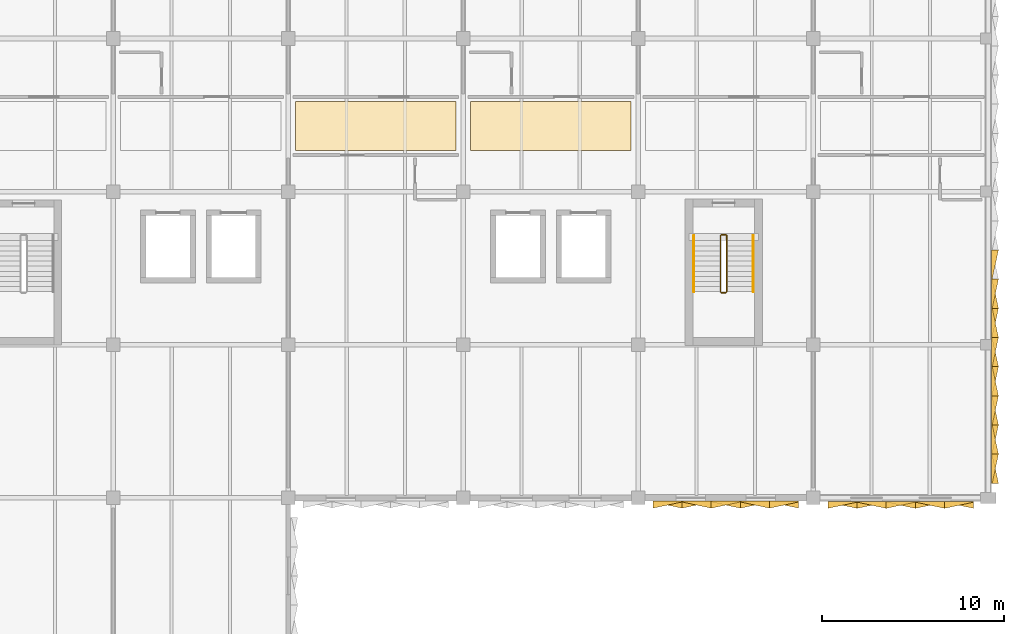
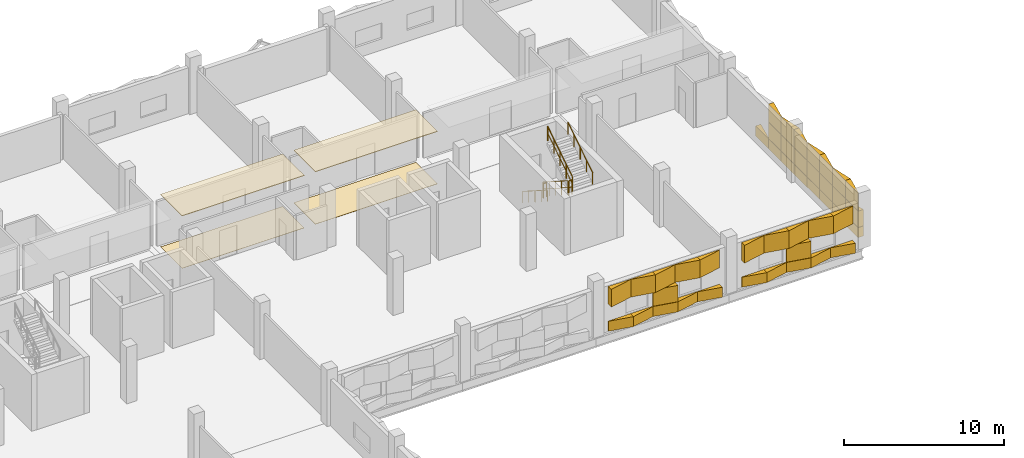
# One storey, part 84 of 86: 48 coverings, 6 railings.
"""IFC4 building model written with IfcOpenShell, lengths in metres."""

from ifc_helpers import new_model, si_unit, direction, frame, origin, origin_2d, place, context, subcontext, project, spatial, polyline, circle, outline, extrude, material, layer, layer_set, type_object, element, save


model = new_model("IFC4")

# Units and contexts
model_context = context("Model", 3, precision=1e-05, world=origin(), true_north=direction((0.0, 1.0)))
body_context = subcontext(model_context, "Body", "Model", "MODEL_VIEW")
ifc_project = project(units=[si_unit("LENGTHUNIT", "METRE"), si_unit("AREAUNIT", "SQUARE_METRE"), si_unit("VOLUMEUNIT", "CUBIC_METRE"), si_unit("PLANEANGLEUNIT", "RADIAN"), si_unit("MASSUNIT", "GRAM", prefix="KILO")], contexts=[model_context])

# Site, building, storey
site_placement = place(None, origin())
site = spatial("IfcSite", under=ifc_project, at=site_placement, CompositionType="ELEMENT")
building_placement = place(site_placement, origin())
building = spatial("IfcBuilding", under=site, at=building_placement, Name="Oolite Switchyard Hospital", CompositionType="ELEMENT")
storey_placement = place(building_placement, frame((0.0, 0.0, 13.5)))
storey = spatial("IfcBuildingStorey", under=building, at=storey_placement, Name="L03", CompositionType="ELEMENT", Elevation=13.5)

# Coverings
ifc_material_1 = material(Name="Hygienic washable mineral-fibre acoustic ceiling")
ifc_layer_1 = layer(ifc_material_1, 0.0400390625)
ifc_layer_set_1 = layer_set([ifc_layer_1], Name="COV-CEIL-AC60")
covering_type_1 = type_object("IfcCoveringType", Name="COV-CEIL-AC60", PredefinedType="CEILING", material=ifc_layer_set_1)
covering_1_placement = place(storey_placement, frame((0.0, 0.0, 3.985107421875)))
element("IfcCovering", 1, at=covering_1_placement, inside=storey, type_object=covering_type_1, Name="L03 East General Surgical Ward Corridor Ceiling 5", PredefinedType="CEILING", context=body_context, shape_type="SweptSolid", body=[
    extrude(outline(polyline([(173.199951171875, 119.85009765625), (182.0, 119.85009765625), (182.0, 122.550048828125), (173.199951171875, 122.550048828125), (173.199951171875, 119.85009765625)])), origin(), (0.0, 0.0, 1.0), 0.039794921875),
])
covering_2_placement = place(storey_placement, frame((0.0, 0.0, 3.985107421875)))
element("IfcCovering", 2, at=covering_2_placement, inside=storey, type_object=covering_type_1, Name="L03 East General Surgical Ward Corridor Ceiling 6", PredefinedType="CEILING", context=body_context, shape_type="SweptSolid", body=[
    extrude(outline(polyline([(182.800048828125, 119.85009765625), (191.60009765625, 119.85009765625), (191.60009765625, 122.550048828125), (182.800048828125, 122.550048828125), (182.800048828125, 119.85009765625)])), origin(), (0.0, 0.0, 1.0), 0.039794921875),
])
ifc_material_2 = material(Name="Precast oolitic limestone architectural concrete C40/50", Category="masonry")
covering_type_2 = type_object("IfcCoveringType", Name="COV-CHEV-COOL", PredefinedType="CLADDING", material=ifc_material_2)
covering_3_placement = place(storey_placement, frame((200.800048828125, 100.6201171875, 0.050048828125), z_axis=(0.0, 0.0, 1.0), x_axis=(-1.0, 0.0, 0.0)))
element("IfcCovering", 3, at=covering_3_placement, inside=storey, type_object=covering_type_2, Name="L03 Chevron Precast Oolite Panel 155", PredefinedType="CLADDING", context=body_context, shape_type="SweptSolid", body=[
    extrude(outline(polyline([(0.0, 0.0), (1.60009765625, 0.0), (1.60009765625, 0.044921875), (0.0, 0.385009765625), (0.0, 0.0)])), origin(), (0.0, 0.0, 1.0), 0.760009765625),
])
covering_4_placement = place(storey_placement, frame((200.800048828125, 100.6201171875, 2.090087890625), z_axis=(0.0, 0.0, 1.0), x_axis=(-1.0, 0.0, 0.0)))
element("IfcCovering", 4, at=covering_4_placement, inside=storey, type_object=covering_type_2, Name="L03 Chevron Precast Oolite Panel 156", PredefinedType="CLADDING", context=body_context, shape_type="SweptSolid", body=[
    extrude(outline(polyline([(0.0, 0.0), (1.60009765625, 0.0), (1.60009765625, 0.385009765625), (0.0, 0.044921875), (0.0, 0.0)])), origin(), (0.0, 0.0, 1.0), 1.349853515625),
])
covering_5_placement = place(storey_placement, frame((199.199951171875, 100.6201171875, 0.050048828125), z_axis=(0.0, 0.0, 1.0), x_axis=(-1.0, 0.0, 0.0)))
element("IfcCovering", 5, at=covering_5_placement, inside=storey, type_object=covering_type_2, Name="L03 Chevron Precast Oolite Panel 157", PredefinedType="CLADDING", context=body_context, shape_type="SweptSolid", body=[
    extrude(outline(polyline([(0.0, 0.0), (1.599853515625, 0.0), (1.599853515625, 0.385009765625), (0.0, 0.044921875), (0.0, 0.0)])), origin(), (0.0, 0.0, 1.0), 0.760009765625),
])
covering_6_placement = place(storey_placement, frame((199.199951171875, 100.6201171875, 2.090087890625), z_axis=(0.0, 0.0, 1.0), x_axis=(-1.0, 0.0, 0.0)))
element("IfcCovering", 6, at=covering_6_placement, inside=storey, type_object=covering_type_2, Name="L03 Chevron Precast Oolite Panel 158", PredefinedType="CLADDING", context=body_context, shape_type="SweptSolid", body=[
    extrude(outline(polyline([(0.0, 0.0), (1.599853515625, 0.0), (1.599853515625, 0.044921875), (0.0, 0.385009765625), (0.0, 0.0)])), origin(), (0.0, 0.0, 1.0), 1.349853515625),
])
covering_7_placement = place(storey_placement, frame((197.60009765625, 100.6201171875, 0.050048828125), z_axis=(0.0, 0.0, 1.0), x_axis=(-1.0, 0.0, 0.0)))
element("IfcCovering", 7, at=covering_7_placement, inside=storey, type_object=covering_type_2, Name="L03 Chevron Precast Oolite Panel 159", PredefinedType="CLADDING", context=body_context, shape_type="SweptSolid", body=[
    extrude(outline(polyline([(0.0, 0.0), (1.60009765625, 0.0), (1.60009765625, 0.044921875), (0.0, 0.385009765625), (0.0, 0.0)])), origin(), (0.0, 0.0, 1.0), 0.760009765625),
])
covering_8_placement = place(storey_placement, frame((197.60009765625, 100.6201171875, 2.090087890625), z_axis=(0.0, 0.0, 1.0), x_axis=(-1.0, 0.0, 0.0)))
element("IfcCovering", 8, at=covering_8_placement, inside=storey, type_object=covering_type_2, Name="L03 Chevron Precast Oolite Panel 160", PredefinedType="CLADDING", context=body_context, shape_type="SweptSolid", body=[
    extrude(outline(polyline([(0.0, 0.0), (1.60009765625, 0.0), (1.60009765625, 0.385009765625), (0.0, 0.044921875), (0.0, 0.0)])), origin(), (0.0, 0.0, 1.0), 1.349853515625),
])
covering_9_placement = place(storey_placement, frame((197.60009765625, 100.6201171875, 0.830078125), z_axis=(0.0, 0.0, 1.0), x_axis=(-1.0, 0.0, 0.0)))
element("IfcCovering", 9, at=covering_9_placement, inside=storey, type_object=covering_type_2, Name="L03 Chevron Precast Oolite Panel 161", PredefinedType="CLADDING", context=body_context, shape_type="SweptSolid", body=[
    extrude(outline(polyline([(0.0, 0.0), (1.60009765625, 0.0), (1.60009765625, 0.044921875), (0.0, 0.385009765625), (0.0, 0.0)])), origin(), (0.0, 0.0, 1.0), 1.239990234375),
])
covering_10_placement = place(storey_placement, frame((196.0, 100.6201171875, 0.050048828125), z_axis=(0.0, 0.0, 1.0), x_axis=(-1.0, 0.0, 0.0)))
element("IfcCovering", 10, at=covering_10_placement, inside=storey, type_object=covering_type_2, Name="L03 Chevron Precast Oolite Panel 162", PredefinedType="CLADDING", context=body_context, shape_type="SweptSolid", body=[
    extrude(outline(polyline([(0.0, 0.0), (1.60009765625, 0.0), (1.60009765625, 0.385009765625), (0.0, 0.044921875), (0.0, 0.0)])), origin(), (0.0, 0.0, 1.0), 0.760009765625),
])
covering_11_placement = place(storey_placement, frame((196.0, 100.6201171875, 2.090087890625), z_axis=(0.0, 0.0, 1.0), x_axis=(-1.0, 0.0, 0.0)))
element("IfcCovering", 11, at=covering_11_placement, inside=storey, type_object=covering_type_2, Name="L03 Chevron Precast Oolite Panel 163", PredefinedType="CLADDING", context=body_context, shape_type="SweptSolid", body=[
    extrude(outline(polyline([(0.0, 0.0), (1.60009765625, 0.0), (1.60009765625, 0.044921875), (0.0, 0.385009765625), (0.0, 0.0)])), origin(), (0.0, 0.0, 1.0), 1.349853515625),
])
covering_12_placement = place(storey_placement, frame((194.39990234375, 100.6201171875, 0.050048828125), z_axis=(0.0, 0.0, 1.0), x_axis=(-1.0, 0.0, 0.0)))
element("IfcCovering", 12, at=covering_12_placement, inside=storey, type_object=covering_type_2, Name="L03 Chevron Precast Oolite Panel 164", PredefinedType="CLADDING", context=body_context, shape_type="SweptSolid", body=[
    extrude(outline(polyline([(0.0, 0.0), (1.599853515625, 0.0), (1.599853515625, 0.044921875), (0.0, 0.385009765625), (0.0, 0.0)])), origin(), (0.0, 0.0, 1.0), 0.760009765625),
])
covering_13_placement = place(storey_placement, frame((194.39990234375, 100.6201171875, 2.090087890625), z_axis=(0.0, 0.0, 1.0), x_axis=(-1.0, 0.0, 0.0)))
element("IfcCovering", 13, at=covering_13_placement, inside=storey, type_object=covering_type_2, Name="L03 Chevron Precast Oolite Panel 165", PredefinedType="CLADDING", context=body_context, shape_type="SweptSolid", body=[
    extrude(outline(polyline([(0.0, 0.0), (1.599853515625, 0.0), (1.599853515625, 0.385009765625), (0.0, 0.044921875), (0.0, 0.0)])), origin(), (0.0, 0.0, 1.0), 1.349853515625),
])
covering_14_placement = place(storey_placement, frame((210.39990234375, 100.610107421875, 0.050048828125), z_axis=(0.0, 0.0, 1.0), x_axis=(-1.0, 0.0, 0.0)))
element("IfcCovering", 14, at=covering_14_placement, inside=storey, type_object=covering_type_2, Name="L03 Chevron Precast Oolite Panel 166", PredefinedType="CLADDING", context=body_context, shape_type="SweptSolid", body=[
    extrude(outline(polyline([(0.0, 0.0), (1.599853515625, 0.0), (1.599853515625, 0.044921875), (0.0, 0.385009765625), (0.0, 0.0)])), origin(), (0.0, 0.0, 1.0), 0.760009765625),
])
covering_15_placement = place(storey_placement, frame((210.39990234375, 100.610107421875, 2.090087890625), z_axis=(0.0, 0.0, 1.0), x_axis=(-1.0, 0.0, 0.0)))
element("IfcCovering", 15, at=covering_15_placement, inside=storey, type_object=covering_type_2, Name="L03 Chevron Precast Oolite Panel 167", PredefinedType="CLADDING", context=body_context, shape_type="SweptSolid", body=[
    extrude(outline(polyline([(0.0, 0.0), (1.599853515625, 0.0), (1.599853515625, 0.385009765625), (0.0, 0.044921875), (0.0, 0.0)])), origin(), (0.0, 0.0, 1.0), 1.349853515625),
])
covering_16_placement = place(storey_placement, frame((208.800048828125, 100.610107421875, 0.050048828125), z_axis=(0.0, 0.0, 1.0), x_axis=(-1.0, 0.0, 0.0)))
element("IfcCovering", 16, at=covering_16_placement, inside=storey, type_object=covering_type_2, Name="L03 Chevron Precast Oolite Panel 168", PredefinedType="CLADDING", context=body_context, shape_type="SweptSolid", body=[
    extrude(outline(polyline([(0.0, 0.0), (1.60009765625, 0.0), (1.60009765625, 0.385009765625), (0.0, 0.044921875), (0.0, 0.0)])), origin(), (0.0, 0.0, 1.0), 0.760009765625),
])
covering_17_placement = place(storey_placement, frame((208.800048828125, 100.610107421875, 2.090087890625), z_axis=(0.0, 0.0, 1.0), x_axis=(-1.0, 0.0, 0.0)))
element("IfcCovering", 17, at=covering_17_placement, inside=storey, type_object=covering_type_2, Name="L03 Chevron Precast Oolite Panel 169", PredefinedType="CLADDING", context=body_context, shape_type="SweptSolid", body=[
    extrude(outline(polyline([(0.0, 0.0), (1.60009765625, 0.0), (1.60009765625, 0.044921875), (0.0, 0.385009765625), (0.0, 0.0)])), origin(), (0.0, 0.0, 1.0), 1.349853515625),
])
covering_18_placement = place(storey_placement, frame((207.199951171875, 100.610107421875, 0.050048828125), z_axis=(0.0, 0.0, 1.0), x_axis=(-1.0, 0.0, 0.0)))
element("IfcCovering", 18, at=covering_18_placement, inside=storey, type_object=covering_type_2, Name="L03 Chevron Precast Oolite Panel 170", PredefinedType="CLADDING", context=body_context, shape_type="SweptSolid", body=[
    extrude(outline(polyline([(0.0, 0.0), (1.599853515625, 0.0), (1.599853515625, 0.044921875), (0.0, 0.385009765625), (0.0, 0.0)])), origin(), (0.0, 0.0, 1.0), 0.760009765625),
])
covering_19_placement = place(storey_placement, frame((207.199951171875, 100.610107421875, 2.090087890625), z_axis=(0.0, 0.0, 1.0), x_axis=(-1.0, 0.0, 0.0)))
element("IfcCovering", 19, at=covering_19_placement, inside=storey, type_object=covering_type_2, Name="L03 Chevron Precast Oolite Panel 171", PredefinedType="CLADDING", context=body_context, shape_type="SweptSolid", body=[
    extrude(outline(polyline([(0.0, 0.0), (1.599853515625, 0.0), (1.599853515625, 0.385009765625), (0.0, 0.044921875), (0.0, 0.0)])), origin(), (0.0, 0.0, 1.0), 1.349853515625),
])
covering_20_placement = place(storey_placement, frame((207.199951171875, 100.610107421875, 0.830078125), z_axis=(0.0, 0.0, 1.0), x_axis=(-1.0, 0.0, 0.0)))
element("IfcCovering", 20, at=covering_20_placement, inside=storey, type_object=covering_type_2, Name="L03 Chevron Precast Oolite Panel 172", PredefinedType="CLADDING", context=body_context, shape_type="SweptSolid", body=[
    extrude(outline(polyline([(0.0, 0.0), (1.599853515625, 0.0), (1.599853515625, 0.044921875), (0.0, 0.385009765625), (0.0, 0.0)])), origin(), (0.0, 0.0, 1.0), 1.239990234375),
])
covering_21_placement = place(storey_placement, frame((205.60009765625, 100.610107421875, 0.050048828125), z_axis=(0.0, 0.0, 1.0), x_axis=(-1.0, 0.0, 0.0)))
element("IfcCovering", 21, at=covering_21_placement, inside=storey, type_object=covering_type_2, Name="L03 Chevron Precast Oolite Panel 173", PredefinedType="CLADDING", context=body_context, shape_type="SweptSolid", body=[
    extrude(outline(polyline([(0.0, 0.0), (1.60009765625, 0.0), (1.60009765625, 0.385009765625), (0.0, 0.044921875), (0.0, 0.0)])), origin(), (0.0, 0.0, 1.0), 0.760009765625),
])
covering_22_placement = place(storey_placement, frame((205.60009765625, 100.610107421875, 2.090087890625), z_axis=(0.0, 0.0, 1.0), x_axis=(-1.0, 0.0, 0.0)))
element("IfcCovering", 22, at=covering_22_placement, inside=storey, type_object=covering_type_2, Name="L03 Chevron Precast Oolite Panel 174", PredefinedType="CLADDING", context=body_context, shape_type="SweptSolid", body=[
    extrude(outline(polyline([(0.0, 0.0), (1.60009765625, 0.0), (1.60009765625, 0.044921875), (0.0, 0.385009765625), (0.0, 0.0)])), origin(), (0.0, 0.0, 1.0), 1.349853515625),
])
covering_23_placement = place(storey_placement, frame((204.0, 100.610107421875, 0.050048828125), z_axis=(0.0, 0.0, 1.0), x_axis=(-1.0, 0.0, 0.0)))
element("IfcCovering", 23, at=covering_23_placement, inside=storey, type_object=covering_type_2, Name="L03 Chevron Precast Oolite Panel 175", PredefinedType="CLADDING", context=body_context, shape_type="SweptSolid", body=[
    extrude(outline(polyline([(0.0, 0.0), (1.60009765625, 0.0), (1.60009765625, 0.044921875), (0.0, 0.385009765625), (0.0, 0.0)])), origin(), (0.0, 0.0, 1.0), 0.760009765625),
])
covering_24_placement = place(storey_placement, frame((204.0, 100.610107421875, 2.090087890625), z_axis=(0.0, 0.0, 1.0), x_axis=(-1.0, 0.0, 0.0)))
element("IfcCovering", 24, at=covering_24_placement, inside=storey, type_object=covering_type_2, Name="L03 Chevron Precast Oolite Panel 176", PredefinedType="CLADDING", context=body_context, shape_type="SweptSolid", body=[
    extrude(outline(polyline([(0.0, 0.0), (1.60009765625, 0.0), (1.60009765625, 0.385009765625), (0.0, 0.044921875), (0.0, 0.0)])), origin(), (0.0, 0.0, 1.0), 1.349853515625),
])
covering_25_placement = place(storey_placement, frame((211.3701171875, 114.39990234375, 0.050048828125), z_axis=(0.0, 0.0, 1.0), x_axis=(0.0, -1.0, 0.0)))
element("IfcCovering", 25, at=covering_25_placement, inside=storey, type_object=covering_type_2, Name="L03 Chevron Precast Oolite Panel 608", PredefinedType="CLADDING", context=body_context, shape_type="SweptSolid", body=[
    extrude(outline(polyline([(0.0, 0.0), (1.599853515625, 0.0), (1.599853515625, 0.044921875), (0.0, 0.385009765625), (0.0, 0.0)])), origin(), (0.0, 0.0, 1.0), 0.760009765625),
])
covering_26_placement = place(storey_placement, frame((211.3701171875, 112.800048828125, 0.050048828125), z_axis=(0.0, 0.0, 1.0), x_axis=(0.0, -1.0, 0.0)))
element("IfcCovering", 26, at=covering_26_placement, inside=storey, type_object=covering_type_2, Name="L03 Chevron Precast Oolite Panel 611", PredefinedType="CLADDING", context=body_context, shape_type="SweptSolid", body=[
    extrude(outline(polyline([(0.0, 0.0), (1.60009765625, 0.0), (1.60009765625, 0.385009765625), (0.0, 0.044921875), (0.0, 0.0)])), origin(), (0.0, 0.0, 1.0), 0.760009765625),
])
covering_27_placement = place(storey_placement, frame((211.3701171875, 112.800048828125, 2.090087890625), z_axis=(0.0, 0.0, 1.0), x_axis=(0.0, -1.0, 0.0)))
element("IfcCovering", 27, at=covering_27_placement, inside=storey, type_object=covering_type_2, Name="L03 Chevron Precast Oolite Panel 612", PredefinedType="CLADDING", context=body_context, shape_type="SweptSolid", body=[
    extrude(outline(polyline([(0.0, 0.0), (1.60009765625, 0.0), (1.60009765625, 0.044921875), (0.0, 0.385009765625), (0.0, 0.0)])), origin(), (0.0, 0.0, 1.0), 1.349853515625),
])
covering_28_placement = place(storey_placement, frame((211.3701171875, 112.800048828125, 0.830078125), z_axis=(0.0, 0.0, 1.0), x_axis=(0.0, -1.0, 0.0)))
element("IfcCovering", 28, at=covering_28_placement, inside=storey, type_object=covering_type_2, Name="L03 Chevron Precast Oolite Panel 613", PredefinedType="CLADDING", context=body_context, shape_type="SweptSolid", body=[
    extrude(outline(polyline([(0.0, 0.0), (1.60009765625, 0.0), (1.60009765625, 0.385009765625), (0.0, 0.044921875), (0.0, 0.0)])), origin(), (0.0, 0.0, 1.0), 1.239990234375),
])
covering_29_placement = place(storey_placement, frame((211.3701171875, 111.199951171875, 0.050048828125), z_axis=(0.0, 0.0, 1.0), x_axis=(0.0, -1.0, 0.0)))
element("IfcCovering", 29, at=covering_29_placement, inside=storey, type_object=covering_type_2, Name="L03 Chevron Precast Oolite Panel 614", PredefinedType="CLADDING", context=body_context, shape_type="SweptSolid", body=[
    extrude(outline(polyline([(0.0, 0.0), (1.599853515625, 0.0), (1.599853515625, 0.044921875), (0.0, 0.385009765625), (0.0, 0.0)])), origin(), (0.0, 0.0, 1.0), 0.760009765625),
])
covering_30_placement = place(storey_placement, frame((211.3701171875, 111.199951171875, 2.090087890625), z_axis=(0.0, 0.0, 1.0), x_axis=(0.0, -1.0, 0.0)))
element("IfcCovering", 30, at=covering_30_placement, inside=storey, type_object=covering_type_2, Name="L03 Chevron Precast Oolite Panel 615", PredefinedType="CLADDING", context=body_context, shape_type="SweptSolid", body=[
    extrude(outline(polyline([(0.0, 0.0), (1.599853515625, 0.0), (1.599853515625, 0.385009765625), (0.0, 0.044921875), (0.0, 0.0)])), origin(), (0.0, 0.0, 1.0), 1.349853515625),
])
covering_31_placement = place(storey_placement, frame((211.3701171875, 111.199951171875, 0.830078125), z_axis=(0.0, 0.0, 1.0), x_axis=(0.0, -1.0, 0.0)))
element("IfcCovering", 31, at=covering_31_placement, inside=storey, type_object=covering_type_2, Name="L03 Chevron Precast Oolite Panel 616", PredefinedType="CLADDING", context=body_context, shape_type="SweptSolid", body=[
    extrude(outline(polyline([(0.0, 0.0), (1.599853515625, 0.0), (1.599853515625, 0.044921875), (0.0, 0.385009765625), (0.0, 0.0)])), origin(), (0.0, 0.0, 1.0), 1.239990234375),
])
covering_32_placement = place(storey_placement, frame((211.3701171875, 109.60009765625, 0.050048828125), z_axis=(0.0, 0.0, 1.0), x_axis=(0.0, -1.0, 0.0)))
element("IfcCovering", 32, at=covering_32_placement, inside=storey, type_object=covering_type_2, Name="L03 Chevron Precast Oolite Panel 617", PredefinedType="CLADDING", context=body_context, shape_type="SweptSolid", body=[
    extrude(outline(polyline([(0.0, 0.0), (1.60009765625, 0.0), (1.60009765625, 0.385009765625), (0.0, 0.044921875), (0.0, 0.0)])), origin(), (0.0, 0.0, 1.0), 0.760009765625),
])
covering_33_placement = place(storey_placement, frame((211.3701171875, 109.60009765625, 2.090087890625), z_axis=(0.0, 0.0, 1.0), x_axis=(0.0, -1.0, 0.0)))
element("IfcCovering", 33, at=covering_33_placement, inside=storey, type_object=covering_type_2, Name="L03 Chevron Precast Oolite Panel 618", PredefinedType="CLADDING", context=body_context, shape_type="SweptSolid", body=[
    extrude(outline(polyline([(0.0, 0.0), (1.60009765625, 0.0), (1.60009765625, 0.044921875), (0.0, 0.385009765625), (0.0, 0.0)])), origin(), (0.0, 0.0, 1.0), 1.349853515625),
])
covering_34_placement = place(storey_placement, frame((211.3701171875, 109.60009765625, 0.830078125), z_axis=(0.0, 0.0, 1.0), x_axis=(0.0, -1.0, 0.0)))
element("IfcCovering", 34, at=covering_34_placement, inside=storey, type_object=covering_type_2, Name="L03 Chevron Precast Oolite Panel 619", PredefinedType="CLADDING", context=body_context, shape_type="SweptSolid", body=[
    extrude(outline(polyline([(0.0, 0.0), (1.60009765625, 0.0), (1.60009765625, 0.385009765625), (0.0, 0.044921875), (0.0, 0.0)])), origin(), (0.0, 0.0, 1.0), 1.239990234375),
])
covering_35_placement = place(storey_placement, frame((211.3701171875, 108.0, 0.050048828125), z_axis=(0.0, 0.0, 1.0), x_axis=(0.0, -1.0, 0.0)))
element("IfcCovering", 35, at=covering_35_placement, inside=storey, type_object=covering_type_2, Name="L03 Chevron Precast Oolite Panel 620", PredefinedType="CLADDING", context=body_context, shape_type="SweptSolid", body=[
    extrude(outline(polyline([(0.0, 0.0), (1.60009765625, 0.0), (1.60009765625, 0.044921875), (0.0, 0.385009765625), (0.0, 0.0)])), origin(), (0.0, 0.0, 1.0), 0.760009765625),
])
covering_36_placement = place(storey_placement, frame((211.3701171875, 108.0, 2.090087890625), z_axis=(0.0, 0.0, 1.0), x_axis=(0.0, -1.0, 0.0)))
element("IfcCovering", 36, at=covering_36_placement, inside=storey, type_object=covering_type_2, Name="L03 Chevron Precast Oolite Panel 621", PredefinedType="CLADDING", context=body_context, shape_type="SweptSolid", body=[
    extrude(outline(polyline([(0.0, 0.0), (1.60009765625, 0.0), (1.60009765625, 0.385009765625), (0.0, 0.044921875), (0.0, 0.0)])), origin(), (0.0, 0.0, 1.0), 1.349853515625),
])
covering_37_placement = place(storey_placement, frame((211.3701171875, 108.0, 0.830078125), z_axis=(0.0, 0.0, 1.0), x_axis=(0.0, -1.0, 0.0)))
element("IfcCovering", 37, at=covering_37_placement, inside=storey, type_object=covering_type_2, Name="L03 Chevron Precast Oolite Panel 622", PredefinedType="CLADDING", context=body_context, shape_type="SweptSolid", body=[
    extrude(outline(polyline([(0.0, 0.0), (1.60009765625, 0.0), (1.60009765625, 0.044921875), (0.0, 0.385009765625), (0.0, 0.0)])), origin(), (0.0, 0.0, 1.0), 1.239990234375),
])
covering_38_placement = place(storey_placement, frame((211.3701171875, 106.39990234375, 0.050048828125), z_axis=(0.0, 0.0, 1.0), x_axis=(0.0, -1.0, 0.0)))
element("IfcCovering", 38, at=covering_38_placement, inside=storey, type_object=covering_type_2, Name="L03 Chevron Precast Oolite Panel 623", PredefinedType="CLADDING", context=body_context, shape_type="SweptSolid", body=[
    extrude(outline(polyline([(0.0, 0.0), (1.599853515625, 0.0), (1.599853515625, 0.385009765625), (0.0, 0.044921875), (0.0, 0.0)])), origin(), (0.0, 0.0, 1.0), 0.760009765625),
])
covering_39_placement = place(storey_placement, frame((211.3701171875, 106.39990234375, 2.090087890625), z_axis=(0.0, 0.0, 1.0), x_axis=(0.0, -1.0, 0.0)))
element("IfcCovering", 39, at=covering_39_placement, inside=storey, type_object=covering_type_2, Name="L03 Chevron Precast Oolite Panel 624", PredefinedType="CLADDING", context=body_context, shape_type="SweptSolid", body=[
    extrude(outline(polyline([(0.0, 0.0), (1.599853515625, 0.0), (1.599853515625, 0.044921875), (0.0, 0.385009765625), (0.0, 0.0)])), origin(), (0.0, 0.0, 1.0), 1.349853515625),
])
covering_40_placement = place(storey_placement, frame((211.3701171875, 106.39990234375, 0.830078125), z_axis=(0.0, 0.0, 1.0), x_axis=(0.0, -1.0, 0.0)))
element("IfcCovering", 40, at=covering_40_placement, inside=storey, type_object=covering_type_2, Name="L03 Chevron Precast Oolite Panel 625", PredefinedType="CLADDING", context=body_context, shape_type="SweptSolid", body=[
    extrude(outline(polyline([(0.0, 0.0), (1.599853515625, 0.0), (1.599853515625, 0.385009765625), (0.0, 0.044921875), (0.0, 0.0)])), origin(), (0.0, 0.0, 1.0), 1.239990234375),
])
covering_41_placement = place(storey_placement, frame((211.3701171875, 104.800048828125, 0.050048828125), z_axis=(0.0, 0.0, 1.0), x_axis=(0.0, -1.0, 0.0)))
element("IfcCovering", 41, at=covering_41_placement, inside=storey, type_object=covering_type_2, Name="L03 Chevron Precast Oolite Panel 626", PredefinedType="CLADDING", context=body_context, shape_type="SweptSolid", body=[
    extrude(outline(polyline([(0.0, 0.0), (1.60009765625, 0.0), (1.60009765625, 0.044921875), (0.0, 0.385009765625), (0.0, 0.0)])), origin(), (0.0, 0.0, 1.0), 0.760009765625),
])
covering_42_placement = place(storey_placement, frame((211.3701171875, 104.800048828125, 2.090087890625), z_axis=(0.0, 0.0, 1.0), x_axis=(0.0, -1.0, 0.0)))
element("IfcCovering", 42, at=covering_42_placement, inside=storey, type_object=covering_type_2, Name="L03 Chevron Precast Oolite Panel 627", PredefinedType="CLADDING", context=body_context, shape_type="SweptSolid", body=[
    extrude(outline(polyline([(0.0, 0.0), (1.60009765625, 0.0), (1.60009765625, 0.385009765625), (0.0, 0.044921875), (0.0, 0.0)])), origin(), (0.0, 0.0, 1.0), 1.349853515625),
])
covering_43_placement = place(storey_placement, frame((211.3701171875, 104.800048828125, 0.830078125), z_axis=(0.0, 0.0, 1.0), x_axis=(0.0, -1.0, 0.0)))
element("IfcCovering", 43, at=covering_43_placement, inside=storey, type_object=covering_type_2, Name="L03 Chevron Precast Oolite Panel 628", PredefinedType="CLADDING", context=body_context, shape_type="SweptSolid", body=[
    extrude(outline(polyline([(0.0, 0.0), (1.60009765625, 0.0), (1.60009765625, 0.044921875), (0.0, 0.385009765625), (0.0, 0.0)])), origin(), (0.0, 0.0, 1.0), 1.239990234375),
])
covering_44_placement = place(storey_placement, frame((211.3701171875, 103.199951171875, 0.050048828125), z_axis=(0.0, 0.0, 1.0), x_axis=(0.0, -1.0, 0.0)))
element("IfcCovering", 44, at=covering_44_placement, inside=storey, type_object=covering_type_2, Name="L03 Chevron Precast Oolite Panel 629", PredefinedType="CLADDING", context=body_context, shape_type="SweptSolid", body=[
    extrude(outline(polyline([(0.0, 0.0), (1.599853515625, 0.0), (1.599853515625, 0.385009765625), (0.0, 0.044921875), (0.0, 0.0)])), origin(), (0.0, 0.0, 1.0), 0.760009765625),
])
covering_45_placement = place(storey_placement, frame((211.3701171875, 103.199951171875, 2.090087890625), z_axis=(0.0, 0.0, 1.0), x_axis=(0.0, -1.0, 0.0)))
element("IfcCovering", 45, at=covering_45_placement, inside=storey, type_object=covering_type_2, Name="L03 Chevron Precast Oolite Panel 630", PredefinedType="CLADDING", context=body_context, shape_type="SweptSolid", body=[
    extrude(outline(polyline([(0.0, 0.0), (1.599853515625, 0.0), (1.599853515625, 0.044921875), (0.0, 0.385009765625), (0.0, 0.0)])), origin(), (0.0, 0.0, 1.0), 1.349853515625),
])
covering_46_placement = place(storey_placement, frame((211.3701171875, 103.199951171875, 0.830078125), z_axis=(0.0, 0.0, 1.0), x_axis=(0.0, -1.0, 0.0)))
element("IfcCovering", 46, at=covering_46_placement, inside=storey, type_object=covering_type_2, Name="L03 Chevron Precast Oolite Panel 631", PredefinedType="CLADDING", context=body_context, shape_type="SweptSolid", body=[
    extrude(outline(polyline([(0.0, 0.0), (1.599853515625, 0.0), (1.599853515625, 0.385009765625), (0.0, 0.044921875), (0.0, 0.0)])), origin(), (0.0, 0.0, 1.0), 1.239990234375),
])
ifc_material_3 = material(Name="Epoxy terrazzo seamless clinical flooring")
ifc_layer_2 = layer(ifc_material_3, 0.02001953125)
ifc_layer_set_2 = layer_set([ifc_layer_2], Name="COV-FLR-TER20")
covering_type_3 = type_object("IfcCoveringType", Name="COV-FLR-TER20", PredefinedType="FLOORING", material=ifc_layer_set_2)
covering_47_placement = place(storey_placement, origin())
element("IfcCovering", 47, at=covering_47_placement, inside=storey, type_object=covering_type_3, Name="L03 East General Surgical Ward Corridor Flooring 5", PredefinedType="FLOORING", context=body_context, shape_type="SweptSolid", body=[
    extrude(outline(polyline([(173.199951171875, 119.85009765625), (182.0, 119.85009765625), (182.0, 122.550048828125), (173.199951171875, 122.550048828125), (173.199951171875, 119.85009765625)])), origin(), (0.0, 0.0, 1.0), 0.02001953125),
])
covering_48_placement = place(storey_placement, origin())
element("IfcCovering", 48, at=covering_48_placement, inside=storey, type_object=covering_type_3, Name="L03 East General Surgical Ward Corridor Flooring 6", PredefinedType="FLOORING", context=body_context, shape_type="SweptSolid", body=[
    extrude(outline(polyline([(182.800048828125, 119.85009765625), (191.60009765625, 119.85009765625), (191.60009765625, 122.550048828125), (182.800048828125, 122.550048828125), (182.800048828125, 119.85009765625)])), origin(), (0.0, 0.0, 1.0), 0.02001953125),
])

# Railings
ifc_material_4 = material(Name="Galvanized painted architectural steel handrail", Category="steel")
railing_type_1 = type_object("IfcRailingType", Name="RL-STAIR-GRD", PredefinedType="GUARDRAIL", material=ifc_material_4)
railing_1_placement = place(storey_placement, frame((196.510009765625, 115.18994140625, 0.17919921875)))
element("IfcRailing", 49, at=railing_1_placement, inside=storey, type_object=railing_type_1, Name="L03 ST-04 stair guard 1", PredefinedType="GUARDRAIL", context=body_context, shape_type="SweptSolid", body=[
    extrude(circle(Radius=0.02392578125, at=origin_2d()), frame((0.0, 0.0, 1.076171875), z_axis=(0.0, -0.842319903074, 0.538977903893), x_axis=(1.0, 0.0, 0.0)), (0.0, 0.0, 1.0), 3.65625),
    extrude(circle(Radius=0.015625, at=origin_2d()), frame((0.0, 0.0, 0.550048828125), z_axis=(0.0, -0.842319903074, 0.538977903893), x_axis=(1.0, 0.0, 0.0)), (0.0, 0.0, 1.0), 3.65625),
    extrude(circle(Radius=0.02099609375, at=origin_2d()), origin(), (0.0, 0.0, 1.0), 1.052001953125),
    extrude(circle(Radius=0.02099609375, at=origin_2d()), frame((0.0, -0.77001953125, 0.49267578125)), (0.0, 0.0, 1.0), 1.052001953125),
    extrude(circle(Radius=0.02099609375, at=origin_2d()), frame((0.0, -1.5400390625, 0.9853515625)), (0.0, 0.0, 1.0), 1.052001953125),
    extrude(circle(Radius=0.02099609375, at=origin_2d()), frame((0.0, -2.309814453125, 1.47802734375)), (0.0, 0.0, 1.0), 1.052001953125),
    extrude(circle(Radius=0.02099609375, at=origin_2d()), frame((0.0, -3.079833984375, 1.970703125)), (0.0, 0.0, 1.0), 1.052001953125),
])
railing_2_placement = place(storey_placement, frame((196.56005859375, 112.06005859375, 2.14990234375)))
element("IfcRailing", 50, at=railing_2_placement, inside=storey, type_object=railing_type_1, Name="L03 ST-04 stair guard 2", PredefinedType="GUARDRAIL", context=body_context, shape_type="SweptSolid", body=[
    extrude(circle(Radius=0.02392578125, at=origin_2d()), frame((0.0, 0.0, 1.076171875), z_axis=(1.0, 0.0, 0.0), x_axis=(0.0, 1.0, 0.0)), (0.0, 0.0, 1.0), 0.239990234375),
    extrude(circle(Radius=0.015625, at=origin_2d()), frame((0.0, 0.0, 0.550048828125), z_axis=(1.0, 0.0, 0.0), x_axis=(0.0, 1.0, 0.0)), (0.0, 0.0, 1.0), 0.239990234375),
    extrude(circle(Radius=0.02099609375, at=origin_2d()), origin(), (0.0, 0.0, 1.0), 1.052001953125),
    extrude(circle(Radius=0.02099609375, at=origin_2d()), frame((0.239990234375, 0.0, 0.0)), (0.0, 0.0, 1.0), 1.052001953125),
])
railing_3_placement = place(storey_placement, frame((196.85009765625, 112.110107421875, 2.3291015625)))
element("IfcRailing", 51, at=railing_3_placement, inside=storey, type_object=railing_type_1, Name="L03 ST-04 stair guard 3", PredefinedType="GUARDRAIL", context=body_context, shape_type="SweptSolid", body=[
    extrude(circle(Radius=0.02392578125, at=origin_2d()), frame((0.0, 0.0, 1.076171875), z_axis=(0.0, 0.842289589211, 0.539025275759), x_axis=(-1.0, 0.0, 0.0)), (0.0, 0.0, 1.0), 3.656494140625),
    extrude(circle(Radius=0.015625, at=origin_2d()), frame((0.0, 0.0, 0.550048828125), z_axis=(0.0, 0.842289589211, 0.539025275759), x_axis=(-1.0, 0.0, 0.0)), (0.0, 0.0, 1.0), 3.656494140625),
    extrude(circle(Radius=0.02099609375, at=origin_2d()), origin(), (0.0, 0.0, 1.0), 1.052001953125),
    extrude(circle(Radius=0.02099609375, at=origin_2d()), frame((0.0, 0.77001953125, 0.49267578125)), (0.0, 0.0, 1.0), 1.052001953125),
    extrude(circle(Radius=0.02099609375, at=origin_2d()), frame((0.0, 1.5400390625, 0.9853515625)), (0.0, 0.0, 1.0), 1.052001953125),
    extrude(circle(Radius=0.02099609375, at=origin_2d()), frame((0.0, 2.309814453125, 1.478271484375)), (0.0, 0.0, 1.0), 1.052001953125),
    extrude(circle(Radius=0.02099609375, at=origin_2d()), frame((0.0, 3.079833984375, 1.970947265625)), (0.0, 0.0, 1.0), 1.052001953125),
])
railing_4_placement = place(storey_placement, frame((196.56005859375, 115.239990234375, 0.0)))
element("IfcRailing", 52, at=railing_4_placement, inside=storey, type_object=railing_type_1, Name="L03 ST-04 stair guard 4", PredefinedType="GUARDRAIL", context=body_context, shape_type="SweptSolid", body=[
    extrude(circle(Radius=0.02392578125, at=origin_2d()), frame((0.0, 0.0, 1.076171875), z_axis=(1.0, 0.0, 0.0), x_axis=(0.0, 1.0, 0.0)), (0.0, 0.0, 1.0), 0.239990234375),
    extrude(circle(Radius=0.015625, at=origin_2d()), frame((0.0, 0.0, 0.550048828125), z_axis=(1.0, 0.0, 0.0), x_axis=(0.0, 1.0, 0.0)), (0.0, 0.0, 1.0), 0.239990234375),
    extrude(circle(Radius=0.02099609375, at=origin_2d()), origin(), (0.0, 0.0, 1.0), 1.052001953125),
    extrude(circle(Radius=0.02099609375, at=origin_2d()), frame((0.239990234375, 0.0, 0.0)), (0.0, 0.0, 1.0), 1.052001953125),
])
railing_type_2 = type_object("IfcRailingType", Name="RL-STAIR-HND", PredefinedType="HANDRAIL", material=ifc_material_4)
railing_5_placement = place(storey_placement, frame((195.050048828125, 115.18994140625, 0.17919921875)))
element("IfcRailing", 53, at=railing_5_placement, inside=storey, type_object=railing_type_2, Name="L03 ST-04 stair handrail 1", PredefinedType="HANDRAIL", context=body_context, shape_type="SweptSolid", body=[
    extrude(circle(Radius=0.02392578125, at=origin_2d()), frame((0.0, 0.0, 0.8759765625), z_axis=(0.0, -0.842319903074, 0.538977903893), x_axis=(1.0, 0.0, 0.0)), (0.0, 0.0, 1.0), 3.65625),
    extrude(circle(Radius=0.02099609375, at=origin_2d()), origin(), (0.0, 0.0, 1.0), 0.851806640625),
    extrude(circle(Radius=0.02099609375, at=origin_2d()), frame((0.0, -0.77001953125, 0.49267578125)), (0.0, 0.0, 1.0), 0.851806640625),
    extrude(circle(Radius=0.02099609375, at=origin_2d()), frame((0.0, -1.5400390625, 0.9853515625)), (0.0, 0.0, 1.0), 0.851806640625),
    extrude(circle(Radius=0.02099609375, at=origin_2d()), frame((0.0, -2.309814453125, 1.47802734375)), (0.0, 0.0, 1.0), 0.851806640625),
    extrude(circle(Radius=0.02099609375, at=origin_2d()), frame((0.0, -3.079833984375, 1.970703125)), (0.0, 0.0, 1.0), 0.851806640625),
])
railing_6_placement = place(storey_placement, frame((198.31005859375, 112.110107421875, 2.3291015625)))
element("IfcRailing", 54, at=railing_6_placement, inside=storey, type_object=railing_type_2, Name="L03 ST-04 stair handrail 2", PredefinedType="HANDRAIL", context=body_context, shape_type="SweptSolid", body=[
    extrude(circle(Radius=0.02392578125, at=origin_2d()), frame((0.0, 0.0, 0.8759765625), z_axis=(0.0, 0.842289589211, 0.539025275759), x_axis=(-1.0, 0.0, 0.0)), (0.0, 0.0, 1.0), 3.656494140625),
    extrude(circle(Radius=0.02099609375, at=origin_2d()), origin(), (0.0, 0.0, 1.0), 0.851806640625),
    extrude(circle(Radius=0.02099609375, at=origin_2d()), frame((0.0, 0.77001953125, 0.49267578125)), (0.0, 0.0, 1.0), 0.851806640625),
    extrude(circle(Radius=0.02099609375, at=origin_2d()), frame((0.0, 1.5400390625, 0.9853515625)), (0.0, 0.0, 1.0), 0.851806640625),
    extrude(circle(Radius=0.02099609375, at=origin_2d()), frame((0.0, 2.309814453125, 1.478271484375)), (0.0, 0.0, 1.0), 0.851806640625),
    extrude(circle(Radius=0.02099609375, at=origin_2d()), frame((0.0, 3.079833984375, 1.970947265625)), (0.0, 0.0, 1.0), 0.851806640625),
])

save(model, "model.ifc")
